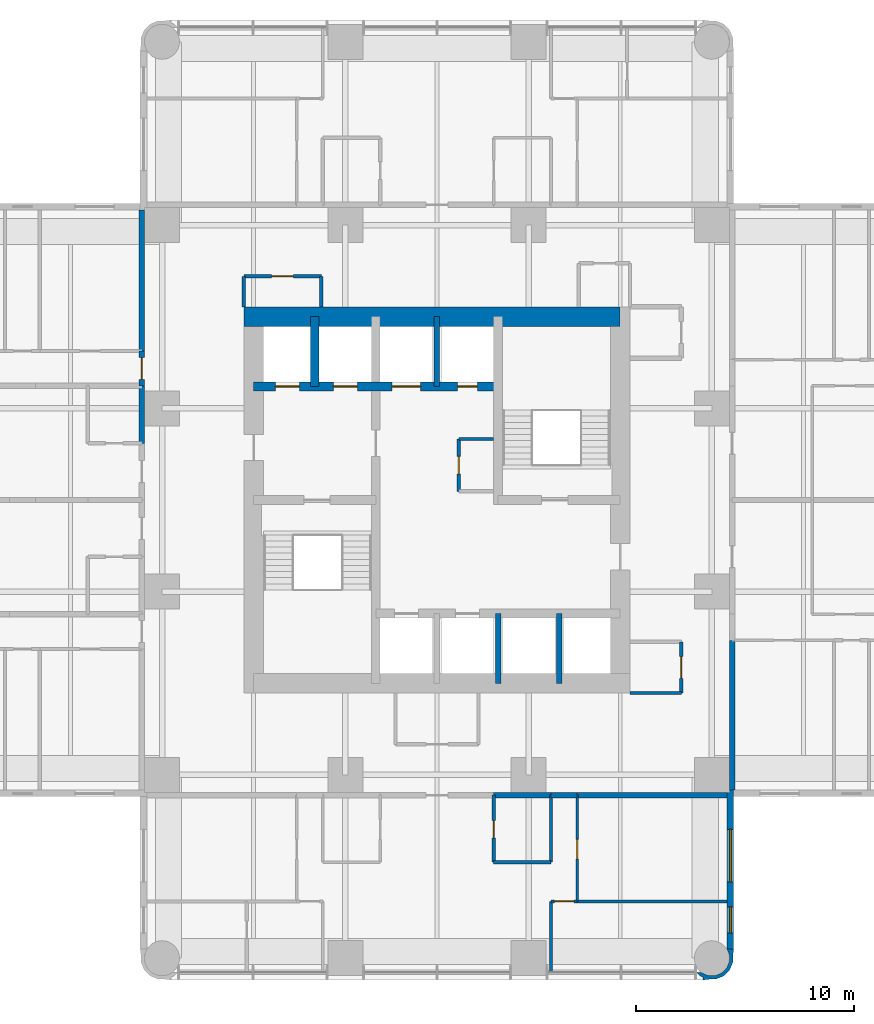
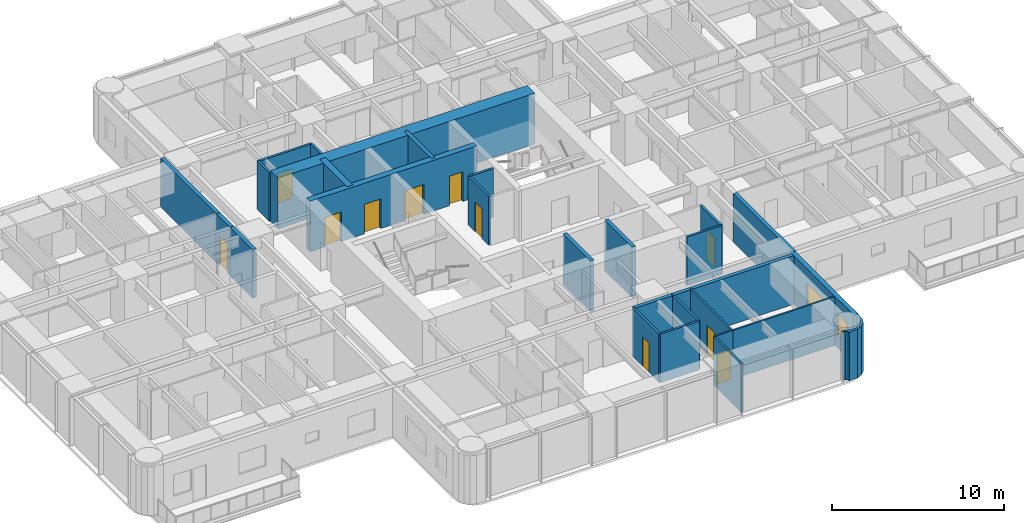
# One storey, part 8 of 14: 29 walls, 11 doors, 2 windows, 13 openings.
"""IFC4 building model written with IfcOpenShell, lengths in metres."""

from ifc_helpers import new_model, si_unit, direction, frame, frame_2d, origin, place, context, subcontext, project, spatial, polyline, rectangle, outline, extrude, material, layer, layer_set, type_object, element, fill, save


model = new_model("IFC4")

# Units and contexts
model_context = context("Model", 3, precision=1e-05, world=origin(), true_north=direction((0.0, 1.0)))
body_context = subcontext(model_context, "Body", "Model", "MODEL_VIEW")
ifc_project = project(units=[si_unit("LENGTHUNIT", "METRE"), si_unit("AREAUNIT", "SQUARE_METRE"), si_unit("VOLUMEUNIT", "CUBIC_METRE"), si_unit("PLANEANGLEUNIT", "RADIAN"), si_unit("MASSUNIT", "GRAM", prefix="KILO")], contexts=[model_context])

# Site, building, storey
site_placement = place(None, origin())
site = spatial("IfcSite", under=ifc_project, at=site_placement, CompositionType="ELEMENT")
building_placement = place(site_placement, origin())
building = spatial("IfcBuilding", under=site, at=building_placement, Name="Torre Alcanfor", CompositionType="ELEMENT")
storey_placement = place(building_placement, frame((0.0, 0.0, 141.300048828125)))
storey = spatial("IfcBuildingStorey", under=building, at=storey_placement, Name="L36", CompositionType="ELEMENT", Elevation=141.300048828125)

# Walls
ifc_material_1 = material(Name="Concrete block masonry, hollow blocks NMX-C-404 9 MPa", Category="masonry")
ifc_layer_1 = layer(ifc_material_1, 0.25)
ifc_layer_set_1 = layer_set([ifc_layer_1], Name="Apartment entrance wall 250 EI 60")
wall_type_1 = type_object("IfcWallType", Name="Apartment entrance wall 250 EI 60", PredefinedType="PARTITIONING", material=ifc_layer_set_1)
wall_1_placement = place(storey_placement, frame((42.925048828125, 22.970947265625, 0.0), z_axis=(0.0, 0.0, 1.0), x_axis=(0.0, -1.0, 0.0)))
element("IfcWall", 1, at=wall_1_placement, inside=storey, type_object=wall_type_1, Name="Partition L36-CORR / L36-E2-BED2", PredefinedType="PARTITIONING", context=body_context, shape_type="SweptSolid", body=[
    extrude(rectangle(XDim=6.870849609375, YDim=0.25, at=frame_2d((3.435546875, 0.0))), origin(), (0.0, 0.0, 1.0), 3.449951171875),
])
wall_2_placement = place(storey_placement, frame((34.62890625, 15.875, 0.0), z_axis=(0.0, 0.0, 1.0), x_axis=(-1.0, 0.0, 0.0)))
element("IfcWall", 2, at=wall_2_placement, inside=storey, type_object=wall_type_1, Name="Partition L36-CORR / L36-SX-BATH2", PredefinedType="PARTITIONING", context=body_context, shape_type="SweptSolid", body=[
    extrude(rectangle(XDim=2.62890625, YDim=0.25, at=frame_2d((1.314453125, 0.0))), origin(), (0.0, 0.0, 1.0), 3.449951171875),
])
wall_3_placement = place(storey_placement, frame((35.8291015625, 15.875, 0.0), z_axis=(0.0, 0.0, 1.0), x_axis=(-1.0, 0.0, 0.0)))
element("IfcWall", 3, at=wall_3_placement, inside=storey, type_object=wall_type_1, Name="Partition L36-CORR / L36-SX-LIVING", PredefinedType="PARTITIONING", context=body_context, shape_type="SweptSolid", body=[
    extrude(rectangle(XDim=1.2001953125, YDim=0.25, at=frame_2d((0.60009765625, 0.0))), origin(), (0.0, 0.0, 1.0), 3.449951171875),
])
wall_4_placement = place(storey_placement, frame((42.699951171875, 15.875, 0.0), z_axis=(0.0, 0.0, 1.0), x_axis=(-1.0, 0.0, 0.0)))
element("IfcWall", 4, at=wall_4_placement, inside=storey, type_object=wall_type_1, Name="Partition L36-CORR / L36-SX-BED2", PredefinedType="PARTITIONING", context=body_context, shape_type="SweptSolid", body=[
    extrude(rectangle(XDim=6.870849609375, YDim=0.25, at=frame_2d((3.435546875, 0.0))), origin(), (0.0, 0.0, 1.0), 3.449951171875),
])
wall_5_placement = place(storey_placement, frame((15.875, 32.0, 0.0), z_axis=(0.0, 0.0, 1.0), x_axis=(0.0, 1.0, 0.0)))
element("IfcWall", 5, at=wall_5_placement, inside=storey, type_object=wall_type_1, Name="Partition L36-CORR / L36-W2A-BATH", PredefinedType="PARTITIONING", context=body_context, shape_type="SweptSolid", body=[
    extrude(rectangle(XDim=2.62890625, YDim=0.25, at=frame_2d((1.314453125, 0.0))), origin(), (0.0, 0.0, 1.0), 3.449951171875),
])

# Wall, opening, door
wall_6_placement = place(storey_placement, frame((15.875, 34.62890625, 0.0), z_axis=(0.0, 0.0, 1.0), x_axis=(0.0, 1.0, 0.0)))
wall_6 = element("IfcWall", 6, at=wall_6_placement, inside=storey, type_object=wall_type_1, Name="Partition L36-CORR / L36-W2B-HALL", PredefinedType="PARTITIONING", context=body_context, shape_type="SweptSolid", body=[
    extrude(rectangle(XDim=1.60009765625, YDim=0.25, at=frame_2d((0.800048828125, 0.0))), origin(), (0.0, 0.0, 1.0), 3.449951171875),
])
opening_1_placement = place(wall_6_placement, frame((0.300048828125, 0.0, 0.0)))
opening_1 = element("IfcOpeningElement", 7, at=opening_1_placement, cuts=wall_6, Name="Opening D-A1", PredefinedType="OPENING", context=body_context, shape_type="SweptSolid", body=[
    extrude(rectangle(XDim=1.0, YDim=2.10009765625, at=frame_2d((0.5, 1.050048828125))), frame((0.0, 0.135009765625, 0.0), z_axis=(0.0, -1.0, 0.0), x_axis=(1.0, 0.0, 0.0)), (0.0, 0.0, 1.0), 0.27001953125),
])
ifc_material_2 = material(Name="Galvanised steel sheet ASTM A653", Category="steel")
door_type_1 = type_object("IfcDoorType", Name="Apartment entrance door FD60 1000x2100", OperationType="SINGLE_SWING_LEFT", PredefinedType="DOOR", material=ifc_material_2)
door_1_placement = place(opening_1_placement, origin())
door_1 = element("IfcDoor", 8, at=door_1_placement, inside=storey, type_object=door_type_1, Name="Apartment entrance L36-W2B", OperationType="SINGLE_SWING_LEFT", OverallHeight=2.10009765625, OverallWidth=1.0, PredefinedType="DOOR", context=body_context, shape_type="SweptSolid", body=[
    extrude(rectangle(XDim=1.0, YDim=2.10009765625, at=frame_2d((0.5, 1.050048828125))), frame((0.0, 0.02490234375, 0.0), z_axis=(0.0, -1.0, 0.0), x_axis=(1.0, 0.0, 0.0)), (0.0, 0.0, 1.0), 0.050048828125),
])
fill(opening_1, door_1)

# Wall
wall_7_placement = place(storey_placement, frame((15.875, 36.22900390625, 0.0), z_axis=(0.0, 0.0, 1.0), x_axis=(0.0, 1.0, 0.0)))
element("IfcWall", 9, at=wall_7_placement, inside=storey, type_object=wall_type_1, Name="Partition L36-CORR / L36-W2B-MASTER", PredefinedType="PARTITIONING", context=body_context, shape_type="SweptSolid", body=[
    extrude(rectangle(XDim=6.470947265625, YDim=0.25, at=frame_2d((3.2353515625, 0.0))), origin(), (0.0, 0.0, 1.0), 3.449951171875),
])

# Wall, opening, door
ifc_material_3 = material(Name="Gypsum board on steel studs", Category="steel")
ifc_layer_2 = layer(ifc_material_3, 0.1201171875)
ifc_layer_set_2 = layer_set([ifc_layer_2], Name="Apartment partition 120")
wall_type_2 = type_object("IfcWallType", Name="Apartment partition 120", PredefinedType="PARTITIONING", material=ifc_layer_set_2)
wall_8_placement = place(storey_placement, frame((35.8291015625, 15.875, 0.0), z_axis=(0.0, 0.0, 1.0), x_axis=(0.0, -1.0, 0.0)))
wall_8 = element("IfcWall", 10, at=wall_8_placement, inside=storey, type_object=wall_type_2, Name="Partition L36-SX-LIVING / L36-SX-BED2", PredefinedType="PARTITIONING", context=body_context, shape_type="SweptSolid", body=[
    extrude(rectangle(XDim=4.875, YDim=0.1201171875, at=frame_2d((2.4375, 0.0))), origin(), (0.0, 0.0, 1.0), 3.449951171875),
])
opening_2_placement = place(wall_8_placement, frame((2.02490234375, 0.0, 0.0)))
opening_2 = element("IfcOpeningElement", 11, at=opening_2_placement, cuts=wall_8, Name="Opening D-R1", PredefinedType="OPENING", context=body_context, shape_type="SweptSolid", body=[
    extrude(rectangle(XDim=0.89990234375, YDim=2.10009765625, at=frame_2d((0.449951171875, 1.050048828125))), frame((0.0, 0.070068359375, 0.0), z_axis=(0.0, -1.0, 0.0), x_axis=(1.0, 0.0, 0.0)), (0.0, 0.0, 1.0), 0.14013671875),
])
ifc_material_4 = material(Name="Timber", Category="wood")
door_type_2 = type_object("IfcDoorType", Name="Internal door 900x2100", OperationType="SINGLE_SWING_LEFT", PredefinedType="DOOR", material=ifc_material_4)
door_2_placement = place(opening_2_placement, origin())
door_2 = element("IfcDoor", 12, at=door_2_placement, inside=storey, type_object=door_type_2, Name="Door L36-SX bed2", OperationType="SINGLE_SWING_RIGHT", OverallHeight=2.10009765625, OverallWidth=0.89990234375, PredefinedType="DOOR", context=body_context, shape_type="SweptSolid", body=[
    extrude(rectangle(XDim=0.89990234375, YDim=2.10009765625, at=frame_2d((0.449951171875, 1.050048828125))), frame((0.0, 0.02490234375, 0.0), z_axis=(0.0, -1.0, 0.0), x_axis=(1.0, 0.0, 0.0)), (0.0, 0.0, 1.0), 0.050048828125),
])
fill(opening_2, door_2)

wall_9_placement = place(storey_placement, frame((35.8291015625, 11.0, 0.0), z_axis=(0.0, 0.0, 1.0), x_axis=(-1.0, 0.0, 0.0)))
wall_9 = element("IfcWall", 13, at=wall_9_placement, inside=storey, type_object=wall_type_2, Name="Partition L36-SX-LIVING / L36-SX-MASTER", PredefinedType="PARTITIONING", context=body_context, shape_type="SweptSolid", body=[
    extrude(rectangle(XDim=1.2001953125, YDim=0.1201171875, at=frame_2d((0.60009765625, 0.0))), origin(), (0.0, 0.0, 1.0), 3.449951171875),
])
opening_3_placement = place(wall_9_placement, frame((0.14892578125, 0.0, 0.0)))
opening_3 = element("IfcOpeningElement", 14, at=opening_3_placement, cuts=wall_9, Name="Opening D-R1", PredefinedType="OPENING", context=body_context, shape_type="SweptSolid", body=[
    extrude(rectangle(XDim=0.89990234375, YDim=2.10009765625, at=frame_2d((0.449951171875, 1.050048828125))), frame((0.0, 0.070068359375, 0.0), z_axis=(0.0, -1.0, 0.0), x_axis=(1.0, 0.0, 0.0)), (0.0, 0.0, 1.0), 0.14013671875),
])
door_3_placement = place(opening_3_placement, origin())
door_3 = element("IfcDoor", 15, at=door_3_placement, inside=storey, type_object=door_type_2, Name="Door L36-SX master", OperationType="SINGLE_SWING_RIGHT", OverallHeight=2.10009765625, OverallWidth=0.89990234375, PredefinedType="DOOR", context=body_context, shape_type="SweptSolid", body=[
    extrude(rectangle(XDim=0.89990234375, YDim=2.10009765625, at=frame_2d((0.449951171875, 1.050048828125))), frame((0.0, 0.02490234375, 0.0), z_axis=(0.0, -1.0, 0.0), x_axis=(1.0, 0.0, 0.0)), (0.0, 0.0, 1.0), 0.050048828125),
])
fill(opening_3, door_3)

# Walls
wall_10_placement = place(storey_placement, frame((34.62890625, 11.0, 0.0), z_axis=(0.0, 0.0, 1.0), x_axis=(0.0, -1.0, 0.0)))
element("IfcWall", 16, at=wall_10_placement, inside=storey, type_object=wall_type_2, Name="Partition L36-SX-LIVING / L36-SX-MASTER", PredefinedType="PARTITIONING", context=body_context, shape_type="SweptSolid", body=[
    extrude(rectangle(XDim=3.25, YDim=0.1201171875, at=frame_2d((1.625, 0.0))), origin(), (0.0, 0.0, 1.0), 3.449951171875),
])
wall_11_placement = place(storey_placement, frame((35.8291015625, 11.0, 0.0), z_axis=(0.0, 0.0, 1.0), x_axis=(1.0, 0.0, 0.0)))
element("IfcWall", 17, at=wall_11_placement, inside=storey, type_object=wall_type_2, Name="Partition L36-SX-BED2 / L36-SX-MASTER", PredefinedType="PARTITIONING", context=body_context, shape_type="SweptSolid", body=[
    extrude(rectangle(XDim=6.870849609375, YDim=0.1201171875, at=frame_2d((3.435546875, 0.0))), origin(), (0.0, 0.0, 1.0), 3.449951171875),
])

# Wall, openings, doors
ifc_material_5 = material(Name="Concrete f'c 70 MPa", Category="concrete")
ifc_layer_3 = layer(ifc_material_5, 0.39990234375)
ifc_layer_set_3 = layer_set([ifc_layer_3], Name="Core inner wall 400 f'c70")
wall_type_3 = type_object("IfcWallType", Name="Core inner wall 400 f'c70", PredefinedType="SHEAR", material=ifc_layer_set_3)
wall_12_placement = place(storey_placement, frame((21.0, 34.60009765625, 0.0), z_axis=(0.0, 0.0, 1.0), x_axis=(1.0, 0.0, 0.0)))
wall_12 = element("IfcWall", 18, at=wall_12_placement, inside=storey, type_object=wall_type_3, Name="Core wall Y346 L36", PredefinedType="SHEAR", context=body_context, shape_type="SweptSolid", body=[
    extrude(rectangle(XDim=11.199951171875, YDim=0.39990234375, at=frame_2d((5.60009765625, 0.0))), origin(), (0.0, 0.0, 1.0), 3.599853515625),
])
opening_4_placement = place(wall_12_placement, frame((9.35009765625, 0.0, 0.0)))
opening_4 = element("IfcOpeningElement", 19, at=opening_4_placement, cuts=wall_12, Name="Opening D-Q1", PredefinedType="OPENING", context=body_context, shape_type="SweptSolid", body=[
    extrude(rectangle(XDim=0.89990234375, YDim=2.10009765625, at=frame_2d((0.449951171875, 1.050048828125))), frame((0.0, 0.2099609375, 0.0), z_axis=(0.0, -1.0, 0.0), x_axis=(1.0, 0.0, 0.0)), (0.0, 0.0, 1.0), 0.419921875),
])
opening_5_placement = place(wall_12_placement, frame((1.0, 0.0, 0.0)))
opening_5 = element("IfcOpeningElement", 20, at=opening_5_placement, cuts=wall_12, Name="Opening LD2", PredefinedType="OPENING", context=body_context, shape_type="SweptSolid", body=[
    extrude(rectangle(XDim=1.10009765625, YDim=2.10009765625, at=frame_2d((0.550048828125, 1.050048828125))), frame((0.0, 0.2099609375, 0.0), z_axis=(0.0, -1.0, 0.0), x_axis=(1.0, 0.0, 0.0)), (0.0, 0.0, 1.0), 0.419921875),
])
opening_6_placement = place(wall_12_placement, frame((3.64990234375, 0.0, 0.0)))
opening_6 = element("IfcOpeningElement", 21, at=opening_6_placement, cuts=wall_12, Name="Opening LD2", PredefinedType="OPENING", context=body_context, shape_type="SweptSolid", body=[
    extrude(rectangle(XDim=1.10009765625, YDim=2.10009765625, at=frame_2d((0.550048828125, 1.050048828125))), frame((0.0, 0.2099609375, 0.0), z_axis=(0.0, -1.0, 0.0), x_axis=(1.0, 0.0, 0.0)), (0.0, 0.0, 1.0), 0.419921875),
])
opening_7_placement = place(wall_12_placement, frame((6.35009765625, 0.0, 0.0)))
opening_7 = element("IfcOpeningElement", 22, at=opening_7_placement, cuts=wall_12, Name="Opening LD3", PredefinedType="OPENING", context=body_context, shape_type="SweptSolid", body=[
    extrude(rectangle(XDim=1.300048828125, YDim=2.10009765625, at=frame_2d((0.64990234375, 1.050048828125))), frame((0.0, 0.2099609375, 0.0), z_axis=(0.0, -1.0, 0.0), x_axis=(1.0, 0.0, 0.0)), (0.0, 0.0, 1.0), 0.419921875),
])
ifc_material_6 = material(Name="Galvanised steel sheet ASTM A653", Category="steel")
door_type_3 = type_object("IfcDoorType", Name="Firefighting lift landing door 1100x2100", OperationType="DOUBLE_DOOR_SLIDING", PredefinedType="DOOR", material=ifc_material_6)
door_4_placement = place(opening_5_placement, origin())
door_4 = element("IfcDoor", 23, at=door_4_placement, inside=storey, type_object=door_type_3, Name="Lift landing door FL1 L36", OperationType="DOUBLE_DOOR_SLIDING", OverallHeight=2.10009765625, OverallWidth=1.10009765625, PredefinedType="DOOR", context=body_context, shape_type="SweptSolid", body=[
    extrude(rectangle(XDim=1.10009765625, YDim=2.10009765625, at=frame_2d((0.550048828125, 1.050048828125))), frame((0.0, 0.02490234375, 0.0), z_axis=(0.0, -1.0, 0.0), x_axis=(1.0, 0.0, 0.0)), (0.0, 0.0, 1.0), 0.050048828125),
])
fill(opening_5, door_4)
door_5_placement = place(opening_6_placement, origin())
door_5 = element("IfcDoor", 24, at=door_5_placement, inside=storey, type_object=door_type_3, Name="Lift landing door FL2 L36", OperationType="DOUBLE_DOOR_SLIDING", OverallHeight=2.10009765625, OverallWidth=1.10009765625, PredefinedType="DOOR", context=body_context, shape_type="SweptSolid", body=[
    extrude(rectangle(XDim=1.10009765625, YDim=2.10009765625, at=frame_2d((0.550048828125, 1.050048828125))), frame((0.0, 0.02490234375, 0.0), z_axis=(0.0, -1.0, 0.0), x_axis=(1.0, 0.0, 0.0)), (0.0, 0.0, 1.0), 0.050048828125),
])
fill(opening_6, door_5)
ifc_material_7 = material(Name="Galvanised steel sheet ASTM A653", Category="steel")
door_type_4 = type_object("IfcDoorType", Name="Riser access door FD120 900x2100", OperationType="SINGLE_SWING_LEFT", PredefinedType="DOOR", material=ifc_material_7)
door_6_placement = place(opening_4_placement, origin())
door_6 = element("IfcDoor", 25, at=door_6_placement, inside=storey, type_object=door_type_4, Name="Riser door L36", OperationType="SINGLE_SWING_LEFT", OverallHeight=2.10009765625, OverallWidth=0.89990234375, PredefinedType="DOOR", context=body_context, shape_type="SweptSolid", body=[
    extrude(rectangle(XDim=0.89990234375, YDim=2.10009765625, at=frame_2d((0.449951171875, 1.050048828125))), frame((0.0, 0.02490234375, 0.0), z_axis=(0.0, -1.0, 0.0), x_axis=(1.0, 0.0, 0.0)), (0.0, 0.0, 1.0), 0.050048828125),
])
fill(opening_4, door_6)
ifc_material_8 = material(Name="Galvanised steel sheet ASTM A653", Category="steel")
door_type_5 = type_object("IfcDoorType", Name="Service lift landing door 1300x2100", OperationType="DOUBLE_DOOR_SLIDING", PredefinedType="DOOR", material=ifc_material_8)
door_7_placement = place(opening_7_placement, origin())
door_7 = element("IfcDoor", 26, at=door_7_placement, inside=storey, type_object=door_type_5, Name="Lift landing door SL1 L36", OperationType="DOUBLE_DOOR_SLIDING", OverallHeight=2.10009765625, OverallWidth=1.300048828125, PredefinedType="DOOR", context=body_context, shape_type="SweptSolid", body=[
    extrude(rectangle(XDim=1.300048828125, YDim=2.10009765625, at=frame_2d((0.64990234375, 1.050048828125))), frame((0.0, 0.02490234375, 0.0), z_axis=(0.0, -1.0, 0.0), x_axis=(1.0, 0.0, 0.0)), (0.0, 0.0, 1.0), 0.050048828125),
])
fill(opening_7, door_7)

# Walls
wall_13_placement = place(storey_placement, frame((23.800048828125, 34.60009765625, 0.0), z_axis=(0.0, 0.0, 1.0), x_axis=(0.0, 1.0, 0.0)))
element("IfcWall", 27, at=wall_13_placement, inside=storey, type_object=wall_type_3, Name="Core wall X238 L36", PredefinedType="SHEAR", context=body_context, shape_type="SweptSolid", body=[
    extrude(rectangle(XDim=3.199951171875, YDim=0.39990234375, at=frame_2d((1.60009765625, 0.0))), origin(), (0.0, 0.0, 1.0), 3.599853515625),
])
ifc_material_9 = material(Name="Concrete f'c 70 MPa", Category="concrete")
ifc_layer_4 = layer(ifc_material_9, 0.25)
ifc_layer_set_4 = layer_set([ifc_layer_4], Name="Core shaft wall 250 f'c70")
wall_type_4 = type_object("IfcWallType", Name="Core shaft wall 250 f'c70", PredefinedType="SHEAR", material=ifc_layer_set_4)
for number, where, z_axis, x_axis, name in (
    (28, (32.199951171875, 21.0, 0.0), (0.0, 0.0, 1.0), (0.0, 1.0, 0.0), "Core wall X322S L36"),
    (29, (35.0, 21.0, 0.0), (0.0, 0.0, 1.0), (0.0, 1.0, 0.0), "Core wall X350S L36"),
    (30, (29.39990234375, 34.60009765625, 0.0), (0.0, 0.0, 1.0), (0.0, 1.0, 0.0), "Core wall X294N L36"),
):
    element("IfcWall", number, at=place(storey_placement, frame(where, z_axis=z_axis, x_axis=x_axis)), inside=storey, type_object=wall_type_4, Name=name, PredefinedType="SHEAR", context=body_context, shape_type="SweptSolid", body=[
        extrude(rectangle(XDim=3.199951171875, YDim=0.25, at=frame_2d((1.60009765625, 0.0))), origin(), (0.0, 0.0, 1.0), 3.599853515625),
    ])
ifc_material_10 = material(Name="Concrete f'c 70 MPa", Category="concrete")
ifc_layer_5 = layer(ifc_material_10, 0.89990234375)
ifc_layer_set_5 = layer_set([ifc_layer_5], Name="Core wall 900 f'c70")
wall_type_5 = type_object("IfcWallType", Name="Core wall 900 f'c70", PredefinedType="SHEAR", material=ifc_layer_set_5)
wall_14_placement = place(storey_placement, frame((37.800048828125, 37.800048828125, 0.0), z_axis=(0.0, 0.0, 1.0), x_axis=(-1.0, 0.0, 0.0)))
element("IfcWall", 31, at=wall_14_placement, inside=storey, type_object=wall_type_5, Name="Core wall OUT-N L36", PredefinedType="SHEAR", context=body_context, shape_type="SweptSolid", body=[
    extrude(rectangle(XDim=17.25, YDim=0.89990234375, at=frame_2d((8.625, 0.0))), origin(), (0.0, 0.0, 1.0), 3.599853515625),
])

# Wall, openings, windows
ifc_material_11 = material(Name="Limestone cladding", Category="masonry")
ifc_layer_6 = layer(ifc_material_11, 0.0400390625, Name="Facing")
ifc_material_12 = material(Name="Ventilated air cavity")
ifc_layer_7 = layer(ifc_material_12, 0.02001953125, ventilated=True, Name="Ventilated joint")
ifc_material_13 = material(Name="Mineral wool insulation", Category="insulation")
ifc_layer_8 = layer(ifc_material_13, 0.10009765625, Name="Insulation")
ifc_material_14 = material(Name="Concrete f'c 35 MPa", Category="concrete")
ifc_layer_9 = layer(ifc_material_14, 0.139892578125, Name="Backing")
ifc_layer_set_6 = layer_set([ifc_layer_6, ifc_layer_7, ifc_layer_8, ifc_layer_9], Name="External wall stone-clad 300")
wall_type_6 = type_object("IfcWallType", Name="External wall stone-clad 300", PredefinedType="SOLIDWALL", material=ifc_layer_set_6)
wall_15_placement = place(storey_placement, frame((42.85009765625, 8.800048828125, 0.0), z_axis=(0.0, 0.0, 1.0), x_axis=(0.0, 1.0, 0.0)))
wall_15 = element("IfcWall", 32, at=wall_15_placement, inside=storey, type_object=wall_type_6, Name="External wall L36 6", PredefinedType="SOLIDWALL", context=body_context, shape_type="SweptSolid", body=[
    extrude(rectangle(XDim=7.300048828125, YDim=0.300048828125, at=frame_2d((3.64990234375, 0.0))), origin(), (0.0, 0.0, 1.0), 3.449951171875),
])
opening_8_placement = place(wall_15_placement, frame((3.10009765625, 0.0, 0.89990234375)))
opening_8 = element("IfcOpeningElement", 33, at=opening_8_placement, cuts=wall_15, Name="Opening W1", PredefinedType="OPENING", context=body_context, shape_type="SweptSolid", body=[
    extrude(rectangle(XDim=2.39990234375, YDim=1.5, at=frame_2d((1.199951171875, 0.75))), frame((0.0, 0.159912109375, 0.0), z_axis=(0.0, -1.0, 0.0), x_axis=(1.0, 0.0, 0.0)), (0.0, 0.0, 1.0), 0.320068359375),
])
opening_9_placement = place(wall_15_placement, frame((0.75, 0.0, 0.89990234375)))
opening_9 = element("IfcOpeningElement", 34, at=opening_9_placement, cuts=wall_15, Name="Opening W4", PredefinedType="OPENING", context=body_context, shape_type="SweptSolid", body=[
    extrude(rectangle(XDim=1.199951171875, YDim=1.5, at=frame_2d((0.60009765625, 0.75))), frame((0.0, 0.159912109375, 0.0), z_axis=(0.0, -1.0, 0.0), x_axis=(1.0, 0.0, 0.0)), (0.0, 0.0, 1.0), 0.320068359375),
])
ifc_material_15 = material(Name="Aluminium frame with clear double glazing", Category="aluminium")
window_type_1 = type_object("IfcWindowType", Name="Window bedroom 1200x1500", PartitioningType="SINGLE_PANEL", PredefinedType="WINDOW", material=ifc_material_15)
window_1_placement = place(opening_9_placement, origin())
window_1 = element("IfcWindow", 35, at=window_1_placement, inside=storey, type_object=window_type_1, Name="Window W4 L36-S1", OverallHeight=1.5, OverallWidth=1.199951171875, PartitioningType="SINGLE_PANEL", PredefinedType="WINDOW", context=body_context, shape_type="SweptSolid", body=[
    extrude(rectangle(XDim=1.199951171875, YDim=1.5, at=frame_2d((0.60009765625, 0.75))), frame((0.0, 0.030029296875, 0.0), z_axis=(0.0, -1.0, 0.0), x_axis=(1.0, 0.0, 0.0)), (0.0, 0.0, 1.0), 0.06005859375),
])
fill(opening_9, window_1)
ifc_material_16 = material(Name="Aluminium frame with clear double glazing", Category="aluminium")
window_type_2 = type_object("IfcWindowType", Name="Window bedroom 2400x1500", PartitioningType="SINGLE_PANEL", PredefinedType="WINDOW", material=ifc_material_16)
window_2_placement = place(opening_8_placement, origin())
window_2 = element("IfcWindow", 36, at=window_2_placement, inside=storey, type_object=window_type_2, Name="Window W1 L36-S1", OverallHeight=1.5, OverallWidth=2.39990234375, PartitioningType="SINGLE_PANEL", PredefinedType="WINDOW", context=body_context, shape_type="SweptSolid", body=[
    extrude(rectangle(XDim=2.39990234375, YDim=1.5, at=frame_2d((1.199951171875, 0.75))), frame((0.0, 0.030029296875, 0.0), z_axis=(0.0, -1.0, 0.0), x_axis=(1.0, 0.0, 0.0)), (0.0, 0.0, 1.0), 0.06005859375),
])
fill(opening_8, window_2)

# Wall
ifc_material_17 = material(Name="Concrete block masonry, hollow blocks NMX-C-404 9 MPa", Category="masonry")
ifc_layer_10 = layer(ifc_material_17, 0.14990234375)
ifc_layer_set_7 = layer_set([ifc_layer_10], Name="Residents' room partition 150")
wall_type_7 = type_object("IfcWallType", Name="Residents' room partition 150", PredefinedType="PARTITIONING", material=ifc_layer_set_7)
wall_16_placement = place(storey_placement, frame((24.10009765625, 38.25, 0.0), z_axis=(0.0, 0.0, 1.0), x_axis=(0.0, 1.0, 0.0)))
element("IfcWall", 37, at=wall_16_placement, inside=storey, type_object=wall_type_7, Name="Partition L36-CORR / L36-G01", PredefinedType="PARTITIONING", context=body_context, shape_type="SweptSolid", body=[
    extrude(rectangle(XDim=1.39990234375, YDim=0.14990234375, at=frame_2d((0.699951171875, 0.0))), origin(), (0.0, 0.0, 1.0), 3.449951171875),
])

# Wall, opening, door
wall_17_placement = place(storey_placement, frame((24.10009765625, 39.64990234375, 0.0), z_axis=(0.0, 0.0, 1.0), x_axis=(-1.0, 0.0, 0.0)))
wall_17 = element("IfcWall", 38, at=wall_17_placement, inside=storey, type_object=wall_type_7, Name="Partition L36-CORR / L36-G01", PredefinedType="PARTITIONING", context=body_context, shape_type="SweptSolid", body=[
    extrude(rectangle(XDim=3.550048828125, YDim=0.14990234375, at=frame_2d((1.77490234375, 0.0))), origin(), (0.0, 0.0, 1.0), 3.449951171875),
])
opening_10_placement = place(wall_17_placement, frame((1.27490234375, 0.0, 0.0)))
opening_10 = element("IfcOpeningElement", 39, at=opening_10_placement, cuts=wall_17, Name="Opening D-M1", PredefinedType="OPENING", context=body_context, shape_type="SweptSolid", body=[
    extrude(rectangle(XDim=1.0, YDim=2.10009765625, at=frame_2d((0.5, 1.050048828125))), frame((0.0, 0.0849609375, 0.0), z_axis=(0.0, -1.0, 0.0), x_axis=(1.0, 0.0, 0.0)), (0.0, 0.0, 1.0), 0.169921875),
])
ifc_material_18 = material(Name="Timber", Category="wood")
door_type_6 = type_object("IfcDoorType", Name="Residents' room door 1000x2100", OperationType="SINGLE_SWING_LEFT", PredefinedType="DOOR", material=ifc_material_18)
door_8_placement = place(opening_10_placement, origin())
door_8 = element("IfcDoor", 40, at=door_8_placement, inside=storey, type_object=door_type_6, Name="Door L36-G01 parcel room", OperationType="SINGLE_SWING_LEFT", OverallHeight=2.10009765625, OverallWidth=1.0, PredefinedType="DOOR", context=body_context, shape_type="SweptSolid", body=[
    extrude(rectangle(XDim=1.0, YDim=2.10009765625, at=frame_2d((0.5, 1.050048828125))), frame((0.0, 0.02490234375, 0.0), z_axis=(0.0, -1.0, 0.0), x_axis=(1.0, 0.0, 0.0)), (0.0, 0.0, 1.0), 0.050048828125),
])
fill(opening_10, door_8)

# Walls
wall_18_placement = place(storey_placement, frame((20.550048828125, 39.64990234375, 0.0), z_axis=(0.0, 0.0, 1.0), x_axis=(0.0, -1.0, 0.0)))
element("IfcWall", 41, at=wall_18_placement, inside=storey, type_object=wall_type_7, Name="Partition L36-CORR / L36-G01", PredefinedType="PARTITIONING", context=body_context, shape_type="SweptSolid", body=[
    extrude(rectangle(XDim=1.39990234375, YDim=0.14990234375, at=frame_2d((0.699951171875, 0.0))), origin(), (0.0, 0.0, 1.0), 3.449951171875),
])
wall_19_placement = place(storey_placement, frame((38.25, 20.550048828125, 0.0), z_axis=(0.0, 0.0, 1.0), x_axis=(1.0, 0.0, 0.0)))
element("IfcWall", 42, at=wall_19_placement, inside=storey, type_object=wall_type_7, Name="Partition L36-CORR / L36-G03", PredefinedType="PARTITIONING", context=body_context, shape_type="SweptSolid", body=[
    extrude(rectangle(XDim=2.35009765625, YDim=0.14990234375, at=frame_2d((1.175048828125, 0.0))), origin(), (0.0, 0.0, 1.0), 3.449951171875),
])

# Wall, opening, door
wall_20_placement = place(storey_placement, frame((40.60009765625, 20.550048828125, 0.0), z_axis=(0.0, 0.0, 1.0), x_axis=(0.0, 1.0, 0.0)))
wall_20 = element("IfcWall", 43, at=wall_20_placement, inside=storey, type_object=wall_type_7, Name="Partition L36-CORR / L36-G03", PredefinedType="PARTITIONING", context=body_context, shape_type="SweptSolid", body=[
    extrude(rectangle(XDim=2.349853515625, YDim=0.14990234375, at=frame_2d((1.1748046875, 0.0))), origin(), (0.0, 0.0, 1.0), 3.449951171875),
])
opening_11_placement = place(wall_20_placement, frame((0.675048828125, 0.0, 0.0)))
opening_11 = element("IfcOpeningElement", 44, at=opening_11_placement, cuts=wall_20, Name="Opening D-M1", PredefinedType="OPENING", context=body_context, shape_type="SweptSolid", body=[
    extrude(rectangle(XDim=1.0, YDim=2.10009765625, at=frame_2d((0.5, 1.050048828125))), frame((0.0, 0.0849609375, 0.0), z_axis=(0.0, -1.0, 0.0), x_axis=(1.0, 0.0, 0.0)), (0.0, 0.0, 1.0), 0.169921875),
])
door_9_placement = place(opening_11_placement, origin())
door_9 = element("IfcDoor", 45, at=door_9_placement, inside=storey, type_object=door_type_6, Name="Door L36-G03 residents' storage lockers", OperationType="SINGLE_SWING_LEFT", OverallHeight=2.10009765625, OverallWidth=1.0, PredefinedType="DOOR", context=body_context, shape_type="SweptSolid", body=[
    extrude(rectangle(XDim=1.0, YDim=2.10009765625, at=frame_2d((0.5, 1.050048828125))), frame((0.0, 0.02490234375, 0.0), z_axis=(0.0, -1.0, 0.0), x_axis=(1.0, 0.0, 0.0)), (0.0, 0.0, 1.0), 0.050048828125),
])
fill(opening_11, door_9)

wall_21_placement = place(storey_placement, frame((30.39990234375, 29.800048828125, 0.0), z_axis=(0.0, 0.0, 1.0), x_axis=(0.0, 1.0, 0.0)))
wall_21 = element("IfcWall", 46, at=wall_21_placement, inside=storey, type_object=wall_type_7, Name="Partition L36-LL / L36-CR1", PredefinedType="PARTITIONING", context=body_context, shape_type="SweptSolid", body=[
    extrude(rectangle(XDim=2.39990234375, YDim=0.14990234375, at=frame_2d((1.199951171875, 0.0))), origin(), (0.0, 0.0, 1.0), 3.449951171875),
])
opening_12_placement = place(wall_21_placement, frame((0.800048828125, 0.0, 0.0)))
opening_12 = element("IfcOpeningElement", 47, at=opening_12_placement, cuts=wall_21, Name="Opening D-R2", PredefinedType="OPENING", context=body_context, shape_type="SweptSolid", body=[
    extrude(rectangle(XDim=0.800048828125, YDim=2.10009765625, at=frame_2d((0.39990234375, 1.050048828125))), frame((0.0, 0.0849609375, 0.0), z_axis=(0.0, -1.0, 0.0), x_axis=(1.0, 0.0, 0.0)), (0.0, 0.0, 1.0), 0.169921875),
])
ifc_material_19 = material(Name="Timber", Category="wood")
door_type_7 = type_object("IfcDoorType", Name="Bathroom door 800x2100", OperationType="SINGLE_SWING_LEFT", PredefinedType="DOOR", material=ifc_material_19)
door_10_placement = place(opening_12_placement, frame((0.800048828125, 0.0, 0.0), z_axis=(0.0, 0.0, 1.0), x_axis=(-1.0, 0.0, 0.0)))
door_10 = element("IfcDoor", 48, at=door_10_placement, inside=storey, type_object=door_type_7, Name="Cleaners' store door L36", OperationType="SINGLE_SWING_RIGHT", OverallHeight=2.10009765625, OverallWidth=0.800048828125, PredefinedType="DOOR", context=body_context, shape_type="SweptSolid", body=[
    extrude(rectangle(XDim=0.800048828125, YDim=2.10009765625, at=frame_2d((0.400146484375, 1.050048828125))), frame((0.0, 0.025146484375, 0.0), z_axis=(0.0, -1.0, 0.0), x_axis=(1.0, 0.0, 0.0)), (0.0, 0.0, 1.0), 0.050048828125),
])
fill(opening_12, door_10)

# Walls
wall_22_placement = place(storey_placement, frame((30.39990234375, 32.199951171875, 0.0), z_axis=(0.0, 0.0, 1.0), x_axis=(1.0, 0.0, 0.0)))
element("IfcWall", 49, at=wall_22_placement, inside=storey, type_object=wall_type_7, Name="Partition L36-LL / L36-CR1", PredefinedType="PARTITIONING", context=body_context, shape_type="SweptSolid", body=[
    extrude(rectangle(XDim=1.60009765625, YDim=0.14990234375, at=frame_2d((0.800048828125, 0.0))), origin(), (0.0, 0.0, 1.0), 3.449951171875),
])
ifc_layer_11 = layer(ifc_material_11, 0.0400390625, Name="Facing")
ifc_layer_12 = layer(ifc_material_12, 0.02001953125, ventilated=True, Name="Ventilated joint")
ifc_layer_13 = layer(ifc_material_13, 0.10009765625, Name="Insulation")
ifc_layer_14 = layer(ifc_material_14, 0.139892578125, Name="Backing")
ifc_layer_set_8 = layer_set([ifc_layer_11, ifc_layer_12, ifc_layer_13, ifc_layer_14], Name="Rounded corner pier stone-clad 300")
wall_type_8 = type_object("IfcWallType", Name="Rounded corner pier stone-clad 300", PredefinedType="SOLIDWALL", material=ifc_layer_set_8)
wall_23_placement = place(storey_placement, frame((41.351928198, 7.804682488, 0.0), z_axis=(0.0, 0.0, 1.0), x_axis=(0.343276641956, -0.93923434088, 0.0)))
element("IfcWall", 50, at=wall_23_placement, inside=storey, type_object=wall_type_8, Name="Corner pier L36 16", PredefinedType="SOLIDWALL", context=body_context, shape_type="SweptSolid", body=[
    extrude(outline(polyline([(-0.3691376945080963, 1.8896116474277462), (-0.5092849006082865, 1.6213723434863179), (-0.4904818693699753, 1.614500106025285), (-0.47937395557818696, 1.6086207727425919), (-0.21134604487110653, 1.620093396259431), (0.08789731812884549, 1.5107242513003132), (0.3226193813038204, 1.29522875171589), (0.4568297522668325, 1.0059961170728082), (0.47018090116819644, 0.6876338955306306), (0.3608955639829935, 0.3886198377896824), (0.14540006439857034, 0.15389777461470747), (0.10805580570731482, 0.136354268630141), (0.030952653705484567, -0.07460656965335008), (0.24105149879401783, 0.023022242841209073), (0.33345144333490195, 0.12363819812835387), (0.46537419024986754, 0.09413770889727405), (0.5320249985235461, 0.39313792602006), (0.6305829406476248, 0.6628009106085226), (0.6143313238115743, 1.0443478664441104), (0.4534111053034037, 1.390650880852334), (0.17226586261802523, 1.6491069643028293), (-0.09739712197043726, 1.7476649064269079), (-0.3691376945080963, 1.8896116474277462)])), origin(), (0.0, 0.0, 1.0), 3.449951171875),
])

# Wall, opening, door
ifc_material_20 = material(Name="Cement board on steel studs", Category="steel")
ifc_layer_15 = layer(ifc_material_20, 0.14990234375)
ifc_layer_set_9 = layer_set([ifc_layer_15], Name="Wet area partition 150")
wall_type_9 = type_object("IfcWallType", Name="Wet area partition 150", PredefinedType="PARTITIONING", material=ifc_layer_set_9)
wall_24_placement = place(storey_placement, frame((32.0, 12.800048828125, 0.0), z_axis=(0.0, 0.0, 1.0), x_axis=(0.0, 1.0, 0.0)))
wall_24 = element("IfcWall", 51, at=wall_24_placement, inside=storey, type_object=wall_type_9, Name="Partition L36-SX-ZAG / L36-SX-BATH2", PredefinedType="PARTITIONING", context=body_context, shape_type="SweptSolid", body=[
    extrude(rectangle(XDim=3.074951171875, YDim=0.14990234375, at=frame_2d((1.53759765625, 0.0))), origin(), (0.0, 0.0, 1.0), 3.449951171875),
])
opening_13_placement = place(wall_24_placement, frame((1.10009765625, 0.0, 0.0)))
opening_13 = element("IfcOpeningElement", 52, at=opening_13_placement, cuts=wall_24, Name="Opening D-R2", PredefinedType="OPENING", context=body_context, shape_type="SweptSolid", body=[
    extrude(rectangle(XDim=0.800048828125, YDim=2.10009765625, at=frame_2d((0.39990234375, 1.050048828125))), frame((0.0, 0.0849609375, 0.0), z_axis=(0.0, -1.0, 0.0), x_axis=(1.0, 0.0, 0.0)), (0.0, 0.0, 1.0), 0.169921875),
])
door_11_placement = place(opening_13_placement, frame((0.800048828125, 0.0, 0.0), z_axis=(0.0, 0.0, 1.0), x_axis=(-1.0, 0.0, 0.0)))
door_11 = element("IfcDoor", 53, at=door_11_placement, inside=storey, type_object=door_type_7, Name="Door L36-SX bath2", OperationType="SINGLE_SWING_RIGHT", OverallHeight=2.10009765625, OverallWidth=0.800048828125, PredefinedType="DOOR", context=body_context, shape_type="SweptSolid", body=[
    extrude(rectangle(XDim=0.800048828125, YDim=2.10009765625, at=frame_2d((0.400146484375, 1.050048828125))), frame((0.0, 0.025146484375, 0.0), z_axis=(0.0, -1.0, 0.0), x_axis=(1.0, 0.0, 0.0)), (0.0, 0.0, 1.0), 0.050048828125),
])
fill(opening_13, door_11)

# Walls
wall_25_placement = place(storey_placement, frame((32.0, 12.800048828125, 0.0), z_axis=(0.0, 0.0, 1.0), x_axis=(1.0, 0.0, 0.0)))
element("IfcWall", 54, at=wall_25_placement, inside=storey, type_object=wall_type_9, Name="Partition L36-SX-BATH2 / L36-SX-LIVING", PredefinedType="PARTITIONING", context=body_context, shape_type="SweptSolid", body=[
    extrude(rectangle(XDim=2.62890625, YDim=0.14990234375, at=frame_2d((1.314453125, 0.0))), origin(), (0.0, 0.0, 1.0), 3.449951171875),
])
wall_26_placement = place(storey_placement, frame((34.62890625, 12.800048828125, 0.0), z_axis=(0.0, 0.0, 1.0), x_axis=(0.0, 1.0, 0.0)))
element("IfcWall", 55, at=wall_26_placement, inside=storey, type_object=wall_type_9, Name="Partition L36-SX-BATH2 / L36-SX-LIVING", PredefinedType="PARTITIONING", context=body_context, shape_type="SweptSolid", body=[
    extrude(rectangle(XDim=3.074951171875, YDim=0.14990234375, at=frame_2d((1.53759765625, 0.0))), origin(), (0.0, 0.0, 1.0), 3.449951171875),
])

save(model, "model.ifc")
